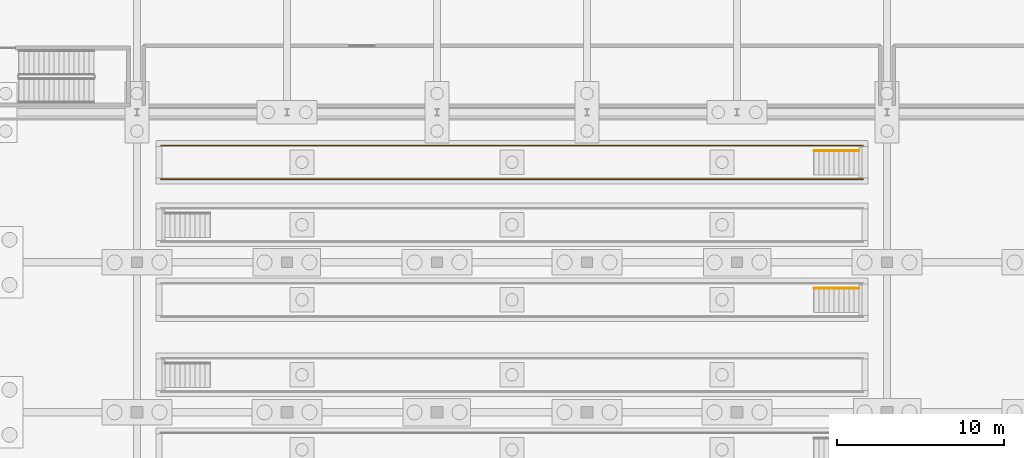
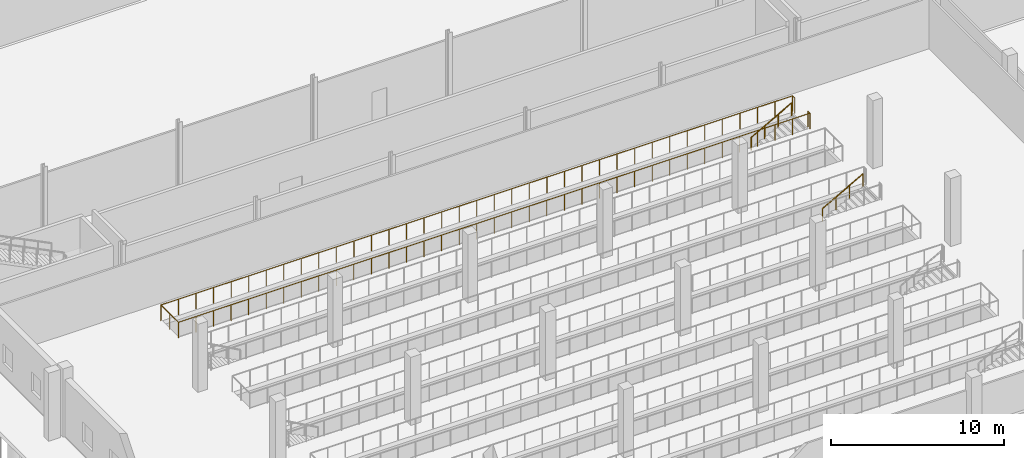
# One storey, part 101 of 112: 3 railings.
"""IFC4 building model written with IfcOpenShell, lengths in metres."""

from ifc_helpers import new_model, si_unit, direction, frame, origin, origin_2d, place, context, subcontext, project, spatial, circle, extrude, material, type_object, element, save


model = new_model("IFC4")

# Units and contexts
model_context = context("Model", 3, precision=1e-05, world=origin(), true_north=direction((0.0, 1.0)))
body_context = subcontext(model_context, "Body", "Model", "MODEL_VIEW")
ifc_project = project(units=[si_unit("LENGTHUNIT", "METRE"), si_unit("AREAUNIT", "SQUARE_METRE"), si_unit("VOLUMEUNIT", "CUBIC_METRE"), si_unit("PLANEANGLEUNIT", "RADIAN"), si_unit("MASSUNIT", "GRAM", prefix="KILO")], contexts=[model_context])

# Site, building, storey
site_placement = place(None, origin())
site = spatial("IfcSite", under=ifc_project, at=site_placement, CompositionType="ELEMENT")
building_placement = place(site_placement, origin())
building = spatial("IfcBuilding", under=site, at=building_placement, Name="Tharagai Park Tramway Depot", CompositionType="ELEMENT")
storey_placement = place(building_placement, origin())
storey = spatial("IfcBuildingStorey", under=building, at=storey_placement, Name="L00", CompositionType="ELEMENT", Elevation=0.0)

# Railings
ifc_material = material(Name="Galvanised steel", Category="steel")
railing_type_1 = type_object("IfcRailingType", Name="HR-01", PredefinedType="GUARDRAIL", material=ifc_material)
railing_placement = place(storey_placement, frame((52.56005859375, 87.77001953125, 0.0)))
element("IfcRailing", 1, at=railing_placement, inside=storey, type_object=railing_type_1, Name="Inspection Pit Track 8 Mouth Safety Guard 1", PredefinedType="GUARDRAIL", context=body_context, shape_type="SweptSolid", body=[
    extrude(circle(Radius=0.02392578125, at=origin_2d()), frame((0.0, 0.0, 1.10595703125), z_axis=(0.0, 1.0, 0.0), x_axis=(-1.0, 0.0, 0.0)), (0.0, 0.0, 1.0), 0.239990234375),
    extrude(circle(Radius=0.02392578125, at=origin_2d()), frame((0.0, 0.239990234375, 1.10595703125), z_axis=(-1.0, 0.0, 0.0), x_axis=(0.0, -1.0, 0.0)), (0.0, 0.0, 1.0), 42.1201171875),
    extrude(circle(Radius=0.02392578125, at=origin_2d()), frame((-42.1201171875, 0.239990234375, 1.10595703125), z_axis=(0.0, -1.0, 0.0), x_axis=(1.0, 0.0, 0.0)), (0.0, 0.0, 1.0), 2.02001953125),
    extrude(circle(Radius=0.02392578125, at=origin_2d()), frame((-42.1201171875, -1.780029296875, 1.10595703125), z_axis=(1.0, 0.0, 0.0), x_axis=(0.0, 1.0, 0.0)), (0.0, 0.0, 1.0), 42.1201171875),
    extrude(circle(Radius=0.02392578125, at=origin_2d()), frame((0.0, -1.780029296875, 1.10595703125), z_axis=(0.0, 1.0, 0.0), x_axis=(-1.0, 0.0, 0.0)), (0.0, 0.0, 1.0), 0.239990234375),
    extrude(circle(Radius=0.02099609375, at=origin_2d()), origin(), (0.0, 0.0, 1.0), 1.081787109375),
    extrude(circle(Radius=0.02099609375, at=origin_2d()), frame((0.0, 0.239990234375, 0.0)), (0.0, 0.0, 1.0), 1.081787109375),
    extrude(circle(Radius=0.02099609375, at=origin_2d()), frame((-1.169921875, 0.239990234375, 0.0)), (0.0, 0.0, 1.0), 1.081787109375),
    extrude(circle(Radius=0.02099609375, at=origin_2d()), frame((-2.340087890625, 0.239990234375, 0.0)), (0.0, 0.0, 1.0), 1.081787109375),
    extrude(circle(Radius=0.02099609375, at=origin_2d()), frame((-3.510009765625, 0.239990234375, 0.0)), (0.0, 0.0, 1.0), 1.081787109375),
    extrude(circle(Radius=0.02099609375, at=origin_2d()), frame((-4.679931640625, 0.239990234375, 0.0)), (0.0, 0.0, 1.0), 1.081787109375),
    extrude(circle(Radius=0.02099609375, at=origin_2d()), frame((-5.85009765625, 0.239990234375, 0.0)), (0.0, 0.0, 1.0), 1.081787109375),
    extrude(circle(Radius=0.02099609375, at=origin_2d()), frame((-7.02001953125, 0.239990234375, 0.0)), (0.0, 0.0, 1.0), 1.081787109375),
    extrude(circle(Radius=0.02099609375, at=origin_2d()), frame((-8.18994140625, 0.239990234375, 0.0)), (0.0, 0.0, 1.0), 1.081787109375),
    extrude(circle(Radius=0.02099609375, at=origin_2d()), frame((-9.360107421875, 0.239990234375, 0.0)), (0.0, 0.0, 1.0), 1.081787109375),
    extrude(circle(Radius=0.02099609375, at=origin_2d()), frame((-10.530029296875, 0.239990234375, 0.0)), (0.0, 0.0, 1.0), 1.081787109375),
    extrude(circle(Radius=0.02099609375, at=origin_2d()), frame((-11.699951171875, 0.239990234375, 0.0)), (0.0, 0.0, 1.0), 1.081787109375),
    extrude(circle(Radius=0.02099609375, at=origin_2d()), frame((-12.8701171875, 0.239990234375, 0.0)), (0.0, 0.0, 1.0), 1.081787109375),
    extrude(circle(Radius=0.02099609375, at=origin_2d()), frame((-14.0400390625, 0.239990234375, 0.0)), (0.0, 0.0, 1.0), 1.081787109375),
    extrude(circle(Radius=0.02099609375, at=origin_2d()), frame((-15.2099609375, 0.239990234375, 0.0)), (0.0, 0.0, 1.0), 1.081787109375),
    extrude(circle(Radius=0.02099609375, at=origin_2d()), frame((-16.380126953125, 0.239990234375, 0.0)), (0.0, 0.0, 1.0), 1.081787109375),
    extrude(circle(Radius=0.02099609375, at=origin_2d()), frame((-17.550048828125, 0.239990234375, 0.0)), (0.0, 0.0, 1.0), 1.081787109375),
    extrude(circle(Radius=0.02099609375, at=origin_2d()), frame((-18.719970703125, 0.239990234375, 0.0)), (0.0, 0.0, 1.0), 1.081787109375),
    extrude(circle(Radius=0.02099609375, at=origin_2d()), frame((-19.89013671875, 0.239990234375, 0.0)), (0.0, 0.0, 1.0), 1.081787109375),
    extrude(circle(Radius=0.02099609375, at=origin_2d()), frame((-21.06005859375, 0.239990234375, 0.0)), (0.0, 0.0, 1.0), 1.081787109375),
    extrude(circle(Radius=0.02099609375, at=origin_2d()), frame((-22.22998046875, 0.239990234375, 0.0)), (0.0, 0.0, 1.0), 1.081787109375),
    extrude(circle(Radius=0.02099609375, at=origin_2d()), frame((-23.400146484375, 0.239990234375, 0.0)), (0.0, 0.0, 1.0), 1.081787109375),
    extrude(circle(Radius=0.02099609375, at=origin_2d()), frame((-24.570068359375, 0.239990234375, 0.0)), (0.0, 0.0, 1.0), 1.081787109375),
    extrude(circle(Radius=0.02099609375, at=origin_2d()), frame((-25.739990234375, 0.239990234375, 0.0)), (0.0, 0.0, 1.0), 1.081787109375),
    extrude(circle(Radius=0.02099609375, at=origin_2d()), frame((-26.91015625, 0.239990234375, 0.0)), (0.0, 0.0, 1.0), 1.081787109375),
    extrude(circle(Radius=0.02099609375, at=origin_2d()), frame((-28.080078125, 0.239990234375, 0.0)), (0.0, 0.0, 1.0), 1.081787109375),
    extrude(circle(Radius=0.02099609375, at=origin_2d()), frame((-29.25, 0.239990234375, 0.0)), (0.0, 0.0, 1.0), 1.081787109375),
    extrude(circle(Radius=0.02099609375, at=origin_2d()), frame((-30.420166015625, 0.239990234375, 0.0)), (0.0, 0.0, 1.0), 1.081787109375),
    extrude(circle(Radius=0.02099609375, at=origin_2d()), frame((-31.590087890625, 0.239990234375, 0.0)), (0.0, 0.0, 1.0), 1.081787109375),
    extrude(circle(Radius=0.02099609375, at=origin_2d()), frame((-32.760009765625, 0.239990234375, 0.0)), (0.0, 0.0, 1.0), 1.081787109375),
    extrude(circle(Radius=0.02099609375, at=origin_2d()), frame((-33.93017578125, 0.239990234375, 0.0)), (0.0, 0.0, 1.0), 1.081787109375),
    extrude(circle(Radius=0.02099609375, at=origin_2d()), frame((-35.10009765625, 0.239990234375, 0.0)), (0.0, 0.0, 1.0), 1.081787109375),
    extrude(circle(Radius=0.02099609375, at=origin_2d()), frame((-36.27001953125, 0.239990234375, 0.0)), (0.0, 0.0, 1.0), 1.081787109375),
    extrude(circle(Radius=0.02099609375, at=origin_2d()), frame((-37.440185546875, 0.239990234375, 0.0)), (0.0, 0.0, 1.0), 1.081787109375),
    extrude(circle(Radius=0.02099609375, at=origin_2d()), frame((-38.610107421875, 0.239990234375, 0.0)), (0.0, 0.0, 1.0), 1.081787109375),
    extrude(circle(Radius=0.02099609375, at=origin_2d()), frame((-39.780029296875, 0.239990234375, 0.0)), (0.0, 0.0, 1.0), 1.081787109375),
    extrude(circle(Radius=0.02099609375, at=origin_2d()), frame((-40.9501953125, 0.239990234375, 0.0)), (0.0, 0.0, 1.0), 1.081787109375),
    extrude(circle(Radius=0.02099609375, at=origin_2d()), frame((-42.1201171875, 0.239990234375, 0.0)), (0.0, 0.0, 1.0), 1.081787109375),
    extrude(circle(Radius=0.02099609375, at=origin_2d()), frame((-42.1201171875, -0.77001953125, 0.0)), (0.0, 0.0, 1.0), 1.081787109375),
    extrude(circle(Radius=0.02099609375, at=origin_2d()), frame((-42.1201171875, -1.780029296875, 0.0)), (0.0, 0.0, 1.0), 1.081787109375),
    extrude(circle(Radius=0.02099609375, at=origin_2d()), frame((-40.9501953125, -1.780029296875, 0.0)), (0.0, 0.0, 1.0), 1.081787109375),
    extrude(circle(Radius=0.02099609375, at=origin_2d()), frame((-39.780029296875, -1.780029296875, 0.0)), (0.0, 0.0, 1.0), 1.081787109375),
    extrude(circle(Radius=0.02099609375, at=origin_2d()), frame((-38.610107421875, -1.780029296875, 0.0)), (0.0, 0.0, 1.0), 1.081787109375),
    extrude(circle(Radius=0.02099609375, at=origin_2d()), frame((-37.440185546875, -1.780029296875, 0.0)), (0.0, 0.0, 1.0), 1.081787109375),
    extrude(circle(Radius=0.02099609375, at=origin_2d()), frame((-36.27001953125, -1.780029296875, 0.0)), (0.0, 0.0, 1.0), 1.081787109375),
    extrude(circle(Radius=0.02099609375, at=origin_2d()), frame((-35.10009765625, -1.780029296875, 0.0)), (0.0, 0.0, 1.0), 1.081787109375),
    extrude(circle(Radius=0.02099609375, at=origin_2d()), frame((-33.93017578125, -1.780029296875, 0.0)), (0.0, 0.0, 1.0), 1.081787109375),
    extrude(circle(Radius=0.02099609375, at=origin_2d()), frame((-32.760009765625, -1.780029296875, 0.0)), (0.0, 0.0, 1.0), 1.081787109375),
    extrude(circle(Radius=0.02099609375, at=origin_2d()), frame((-31.590087890625, -1.780029296875, 0.0)), (0.0, 0.0, 1.0), 1.081787109375),
    extrude(circle(Radius=0.02099609375, at=origin_2d()), frame((-30.420166015625, -1.780029296875, 0.0)), (0.0, 0.0, 1.0), 1.081787109375),
    extrude(circle(Radius=0.02099609375, at=origin_2d()), frame((-29.25, -1.780029296875, 0.0)), (0.0, 0.0, 1.0), 1.081787109375),
    extrude(circle(Radius=0.02099609375, at=origin_2d()), frame((-28.080078125, -1.780029296875, 0.0)), (0.0, 0.0, 1.0), 1.081787109375),
    extrude(circle(Radius=0.02099609375, at=origin_2d()), frame((-26.91015625, -1.780029296875, 0.0)), (0.0, 0.0, 1.0), 1.081787109375),
    extrude(circle(Radius=0.02099609375, at=origin_2d()), frame((-25.739990234375, -1.780029296875, 0.0)), (0.0, 0.0, 1.0), 1.081787109375),
    extrude(circle(Radius=0.02099609375, at=origin_2d()), frame((-24.570068359375, -1.780029296875, 0.0)), (0.0, 0.0, 1.0), 1.081787109375),
    extrude(circle(Radius=0.02099609375, at=origin_2d()), frame((-23.400146484375, -1.780029296875, 0.0)), (0.0, 0.0, 1.0), 1.081787109375),
    extrude(circle(Radius=0.02099609375, at=origin_2d()), frame((-22.22998046875, -1.780029296875, 0.0)), (0.0, 0.0, 1.0), 1.081787109375),
    extrude(circle(Radius=0.02099609375, at=origin_2d()), frame((-21.06005859375, -1.780029296875, 0.0)), (0.0, 0.0, 1.0), 1.081787109375),
    extrude(circle(Radius=0.02099609375, at=origin_2d()), frame((-19.89013671875, -1.780029296875, 0.0)), (0.0, 0.0, 1.0), 1.081787109375),
    extrude(circle(Radius=0.02099609375, at=origin_2d()), frame((-18.719970703125, -1.780029296875, 0.0)), (0.0, 0.0, 1.0), 1.081787109375),
    extrude(circle(Radius=0.02099609375, at=origin_2d()), frame((-17.550048828125, -1.780029296875, 0.0)), (0.0, 0.0, 1.0), 1.081787109375),
    extrude(circle(Radius=0.02099609375, at=origin_2d()), frame((-16.380126953125, -1.780029296875, 0.0)), (0.0, 0.0, 1.0), 1.081787109375),
    extrude(circle(Radius=0.02099609375, at=origin_2d()), frame((-15.2099609375, -1.780029296875, 0.0)), (0.0, 0.0, 1.0), 1.081787109375),
    extrude(circle(Radius=0.02099609375, at=origin_2d()), frame((-14.0400390625, -1.780029296875, 0.0)), (0.0, 0.0, 1.0), 1.081787109375),
    extrude(circle(Radius=0.02099609375, at=origin_2d()), frame((-12.8701171875, -1.780029296875, 0.0)), (0.0, 0.0, 1.0), 1.081787109375),
    extrude(circle(Radius=0.02099609375, at=origin_2d()), frame((-11.699951171875, -1.780029296875, 0.0)), (0.0, 0.0, 1.0), 1.081787109375),
    extrude(circle(Radius=0.02099609375, at=origin_2d()), frame((-10.530029296875, -1.780029296875, 0.0)), (0.0, 0.0, 1.0), 1.081787109375),
    extrude(circle(Radius=0.02099609375, at=origin_2d()), frame((-9.360107421875, -1.780029296875, 0.0)), (0.0, 0.0, 1.0), 1.081787109375),
    extrude(circle(Radius=0.02099609375, at=origin_2d()), frame((-8.18994140625, -1.780029296875, 0.0)), (0.0, 0.0, 1.0), 1.081787109375),
    extrude(circle(Radius=0.02099609375, at=origin_2d()), frame((-7.02001953125, -1.780029296875, 0.0)), (0.0, 0.0, 1.0), 1.081787109375),
    extrude(circle(Radius=0.02099609375, at=origin_2d()), frame((-5.85009765625, -1.780029296875, 0.0)), (0.0, 0.0, 1.0), 1.081787109375),
    extrude(circle(Radius=0.02099609375, at=origin_2d()), frame((-4.679931640625, -1.780029296875, 0.0)), (0.0, 0.0, 1.0), 1.081787109375),
    extrude(circle(Radius=0.02099609375, at=origin_2d()), frame((-3.510009765625, -1.780029296875, 0.0)), (0.0, 0.0, 1.0), 1.081787109375),
    extrude(circle(Radius=0.02099609375, at=origin_2d()), frame((-2.340087890625, -1.780029296875, 0.0)), (0.0, 0.0, 1.0), 1.081787109375),
    extrude(circle(Radius=0.02099609375, at=origin_2d()), frame((-1.169921875, -1.780029296875, 0.0)), (0.0, 0.0, 1.0), 1.081787109375),
    extrude(circle(Radius=0.02099609375, at=origin_2d()), frame((0.0, -1.780029296875, 0.0)), (0.0, 0.0, 1.0), 1.081787109375),
    extrude(circle(Radius=0.02099609375, at=origin_2d()), frame((0.0, -1.5400390625, 0.0)), (0.0, 0.0, 1.0), 1.081787109375),
])
railing_type_2 = type_object("IfcRailingType", Name="HR-03", PredefinedType="HANDRAIL", material=ifc_material)
for number, where, name in (
    (2, (49.6201171875, 79.449951171875, -1.5), "Inspection Pit Track 6 Stair Handrail"),
    (3, (49.6201171875, 87.699951171875, -1.5), "Inspection Pit Track 8 Stair Handrail"),
):
    element("IfcRailing", number, at=place(storey_placement, frame(where)), inside=storey, type_object=railing_type_2, Name=name, PredefinedType="HANDRAIL", context=body_context, shape_type="SweptSolid", body=[
        extrude(circle(Radius=0.02392578125, at=origin_2d()), frame((0.0, 0.0, 0.8759765625), z_axis=(0.87415354758, 0.0, 0.485649642493), x_axis=(0.0, 1.0, 0.0)), (0.0, 0.0, 1.0), 3.088623046875),
        extrude(circle(Radius=0.02099609375, at=origin_2d()), origin(), (0.0, 0.0, 1.0), 0.851806640625),
        extrude(circle(Radius=0.02099609375, at=origin_2d()), frame((0.89990234375, 0.0, 0.5)), (0.0, 0.0, 1.0), 0.851806640625),
        extrude(circle(Radius=0.02099609375, at=origin_2d()), frame((1.800048828125, 0.0, 1.0)), (0.0, 0.0, 1.0), 0.851806640625),
        extrude(circle(Radius=0.02099609375, at=origin_2d()), frame((2.699951171875, 0.0, 1.5)), (0.0, 0.0, 1.0), 0.851806640625),
    ])

save(model, "model.ifc")
